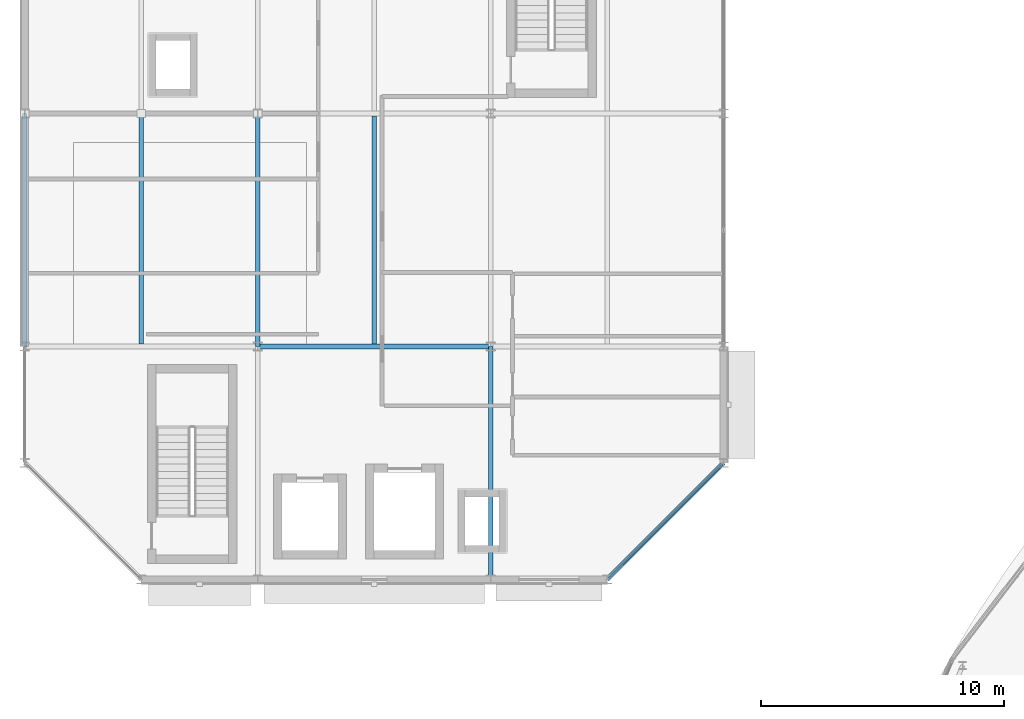
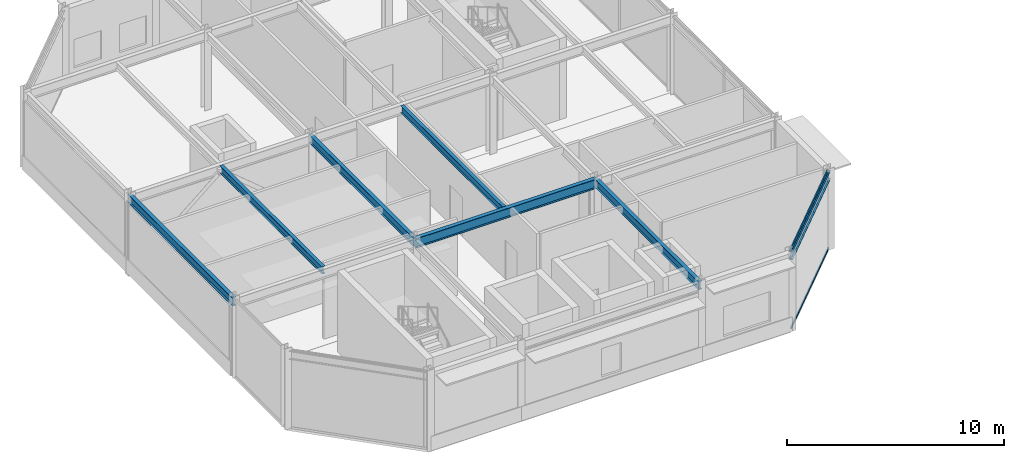
# One storey, part 33 of 116: 7 beams, 2 members, 1 element without a shape of its own.
"""IFC4 building model written with IfcOpenShell, lengths in metres."""

from ifc_helpers import new_model, si_unit, direction, frame, origin, origin_2d, place, context, subcontext, project, spatial, hollow_rectangle, i_section, extrude, material, material_profile, profile_set, type_object, element, aggregate, save


model = new_model("IFC4")

# Units and contexts
model_context = context("Model", 3, precision=1e-05, world=origin(), true_north=direction((0.0, 1.0)))
body_context = subcontext(model_context, "Body", "Model", "MODEL_VIEW")
ifc_project = project(units=[si_unit("LENGTHUNIT", "METRE"), si_unit("AREAUNIT", "SQUARE_METRE"), si_unit("VOLUMEUNIT", "CUBIC_METRE"), si_unit("PLANEANGLEUNIT", "RADIAN"), si_unit("MASSUNIT", "GRAM", prefix="KILO")], contexts=[model_context])

# Site, building, storey
site_placement = place(None, origin())
site = spatial("IfcSite", under=ifc_project, at=site_placement, CompositionType="ELEMENT")
building_placement = place(site_placement, origin())
building = spatial("IfcBuilding", under=site, at=building_placement, Name="Almandine Court Research Institute", CompositionType="ELEMENT")
storey_placement = place(building_placement, frame((0.0, 0.0, 14.35009765625)))
storey = spatial("IfcBuildingStorey", under=building, at=storey_placement, Name="L03", CompositionType="ELEMENT", Elevation=14.35009765625)

# Beams
ifc_material_1 = material(Name="Steel ASTM A992 Grade 50", Category="steel")
ifc_material_profile_1 = material_profile(ifc_material_1, i_section(OverallWidth=0.18994140625, OverallDepth=0.45703125, WebThickness=0.009033203125, FlangeThickness=0.014892578125, at=origin_2d()), Name="W460x74")
ifc_profile_set_1 = profile_set([ifc_material_profile_1], Name="Steel ASTM A992 Grade 50")
beam_type_1 = type_object("IfcBeamType", Name="Beam-B-01", PredefinedType="BEAM", material=ifc_profile_set_1)
beam_1_placement = place(storey_placement, frame((25.199951171875, 84.0, 4.140869140625), z_axis=(0.0, 1.0, 0.0), x_axis=(-1.0, 0.0, 0.0)))
element("IfcBeam", 1, at=beam_1_placement, inside=storey, type_object=beam_type_1, Name="L03 V3 Primary Y Girder", PredefinedType="BEAM", context=body_context, shape_type="SweptSolid", body=[
    extrude(i_section(OverallWidth=0.18994140625, OverallDepth=0.45703125, WebThickness=0.009033203125, FlangeThickness=0.014892578125, at=origin_2d()), origin(), (0.0, 0.0, 1.0), 9.60009765625),
])
beam_2_placement = place(storey_placement, frame((15.60009765625, 93.60009765625, 4.140869140625), z_axis=(0.0, 1.0, 0.0), x_axis=(-1.0, 0.0, 0.0)))
element("IfcBeam", 2, at=beam_2_placement, inside=storey, type_object=beam_type_1, Name="L03 V3 Primary Y Girder", PredefinedType="BEAM", context=body_context, shape_type="SweptSolid", body=[
    extrude(i_section(OverallWidth=0.18994140625, OverallDepth=0.45703125, WebThickness=0.009033203125, FlangeThickness=0.014892578125, at=origin_2d()), origin(), (0.0, 0.0, 1.0), 9.599853515625),
])
ifc_material_profile_2 = material_profile(ifc_material_1, i_section(OverallWidth=0.178955078125, OverallDepth=0.409912109375, WebThickness=0.009033203125, FlangeThickness=0.013916015625, at=origin_2d()), Name="W410x67")
ifc_profile_set_2 = profile_set([ifc_material_profile_2], Name="Steel ASTM A992 Grade 50")
beam_type_2 = type_object("IfcBeamType", Name="Beam-B-02", PredefinedType="JOIST", material=ifc_profile_set_2)
for number, where, z_axis, x_axis, name in (
    (3, (10.800048828125, 93.702880859375, 4.164794921875), (0.0, 1.0, 0.0), (-1.0, 0.0, 0.0), "L03 V3 Composite Secondary Beam"),
    (4, (20.39990234375, 93.702880859375, 4.164794921875), (0.0, 1.0, 0.0), (-1.0, 0.0, 0.0), "L03 V3 Composite Secondary Beam"),
):
    element("IfcBeam", number, at=place(storey_placement, frame(where, z_axis=z_axis, x_axis=x_axis)), inside=storey, type_object=beam_type_2, Name=name, PredefinedType="JOIST", context=body_context, shape_type="SweptSolid", body=[
        extrude(i_section(OverallWidth=0.178955078125, OverallDepth=0.409912109375, WebThickness=0.009033203125, FlangeThickness=0.013916015625, at=origin_2d()), origin(), (0.0, 0.0, 1.0), 9.39404296875),
    ])
ifc_material_profile_3 = material_profile(ifc_material_1, i_section(OverallWidth=0.2109375, OverallDepth=0.5390625, WebThickness=0.011962890625, FlangeThickness=0.01904296875, at=origin_2d()), Name="W530x109")
ifc_profile_set_3 = profile_set([ifc_material_profile_3], Name="Steel ASTM A992 Grade 50")
beam_type_3 = type_object("IfcBeamType", Name="Beam-G-04", PredefinedType="BEAM", material=ifc_profile_set_3)
beam_3_placement = place(storey_placement, frame((15.60009765625, 93.60009765625, 4.099853515625), z_axis=(1.0, 0.0, 0.0), x_axis=(0.0, 1.0, 0.0)))
element("IfcBeam", 5, at=beam_3_placement, inside=storey, type_object=beam_type_3, Name="L03 V3 Primary X Girder", PredefinedType="BEAM", context=body_context, shape_type="SweptSolid", body=[
    extrude(i_section(OverallWidth=0.2109375, OverallDepth=0.5390625, WebThickness=0.011962890625, FlangeThickness=0.01904296875, at=origin_2d()), origin(), (0.0, 0.0, 1.0), 9.599853515625),
])
ifc_material_profile_4 = material_profile(ifc_material_1, i_section(OverallWidth=0.193115234375, OverallDepth=0.466064453125, WebThickness=0.010986328125, FlangeThickness=0.01904296875, at=origin_2d()), Name="W460x97")
ifc_profile_set_4 = profile_set([ifc_material_profile_4], Name="Steel ASTM A992 Grade 50")
beam_type_4 = type_object("IfcBeamType", Name="Beam-G-06-E", PredefinedType="SPANDREL", material=ifc_profile_set_4)
beam_4_placement = place(storey_placement, frame((6.0, 93.60009765625, 4.136962890625), z_axis=(0.0, 1.0, 0.0), x_axis=(-1.0, 0.0, 0.0)))
element("IfcBeam", 6, at=beam_4_placement, inside=storey, type_object=beam_type_4, Name="L03 V3 Primary Y Girder", PredefinedType="SPANDREL", context=body_context, shape_type="SweptSolid", body=[
    extrude(i_section(OverallWidth=0.193115234375, OverallDepth=0.466064453125, WebThickness=0.010986328125, FlangeThickness=0.01904296875, at=origin_2d()), origin(), (0.0, 0.0, 1.0), 9.599853515625),
])
beam_5_placement = place(storey_placement, frame((30.0, 84.0, 4.136962890625), z_axis=(0.707106781187, 0.707106781187, 0.0), x_axis=(-0.707106781187, 0.707106781187, 0.0)))
element("IfcBeam", 7, at=beam_5_placement, inside=storey, type_object=beam_type_4, Name="L03 V3 Octagonal Chamfer Spandrel", PredefinedType="SPANDREL", context=body_context, shape_type="SweptSolid", body=[
    extrude(i_section(OverallWidth=0.193115234375, OverallDepth=0.466064453125, WebThickness=0.010986328125, FlangeThickness=0.01904296875, at=origin_2d()), origin(), (0.0, 0.0, 1.0), 6.788330078125),
])

# Curtain wall, members
ifc_material_2 = material(Name="Unitised Curtain Wall Framing and Solar Glazing", Category="glass")
curtain_wall_type = type_object("IfcCurtainWallType", Name="CW-CWG-05", PredefinedType="USERDEFINED", material=ifc_material_2)
curtain_wall_placement = place(storey_placement, origin())
curtain_wall = element("IfcCurtainWall", 8, at=curtain_wall_placement, inside=storey, type_object=curtain_wall_type, Name="L03 Cleanroom SE Chamfer Glazing", ObjectType="UNITISED GLAZING", PredefinedType="USERDEFINED")
ifc_material_3 = material(Name="Anodised Aluminium AW-6063-T6", Category="aluminium")
ifc_material_profile_5 = material_profile(ifc_material_3, hollow_rectangle(XDim=0.06005859375, YDim=0.110107421875, WallThickness=0.00390625, at=origin_2d()), Name="ALU RHS 60x110x4")
ifc_profile_set_5 = profile_set([ifc_material_profile_5], Name="Anodised Aluminium AW-6063-T6")
member_type = type_object("IfcMemberType", Name="CWTrn-60x110", PredefinedType="NOTDEFINED", material=ifc_profile_set_5)
member_1_placement = place(storey_placement, frame((34.753662109375, 88.753662109375, 0.02978515625), z_axis=(-0.707106781187, -0.707106781187, 0.0), x_axis=(0.707106781187, -0.707106781187, 0.0)))
member_1 = element("IfcMember", 9, at=member_1_placement, type_object=member_type, Name="CWG-05 transom 1.1", ObjectType="TRANSOM", PredefinedType="USERDEFINED", context=body_context, shape_type="SweptSolid", body=[
    extrude(hollow_rectangle(XDim=0.06005859375, YDim=0.110107421875, WallThickness=0.00390625, at=origin_2d()), origin(), (0.0, 0.0, 1.0), 6.656982421875),
])
member_2_placement = place(storey_placement, frame((34.753662109375, 88.753662109375, 4.33984375), z_axis=(-0.707106781187, -0.707106781187, 0.0), x_axis=(0.707106781187, -0.707106781187, 0.0)))
member_2 = element("IfcMember", 10, at=member_2_placement, type_object=member_type, Name="CWG-05 transom 1.2", ObjectType="TRANSOM", PredefinedType="USERDEFINED", context=body_context, shape_type="SweptSolid", body=[
    extrude(hollow_rectangle(XDim=0.06005859375, YDim=0.110107421875, WallThickness=0.00390625, at=origin_2d()), origin(), (0.0, 0.0, 1.0), 6.656982421875),
])
aggregate(curtain_wall, [member_1, member_2])

save(model, "model.ifc")
